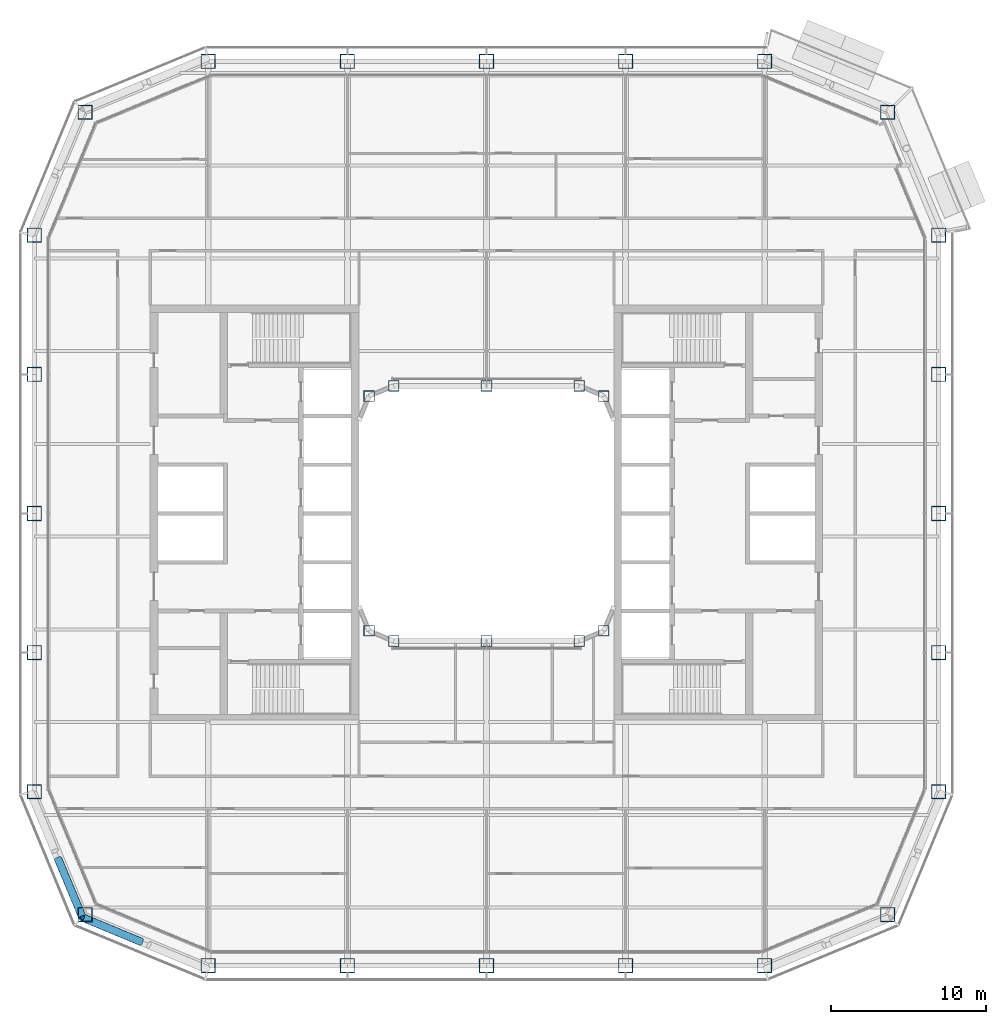
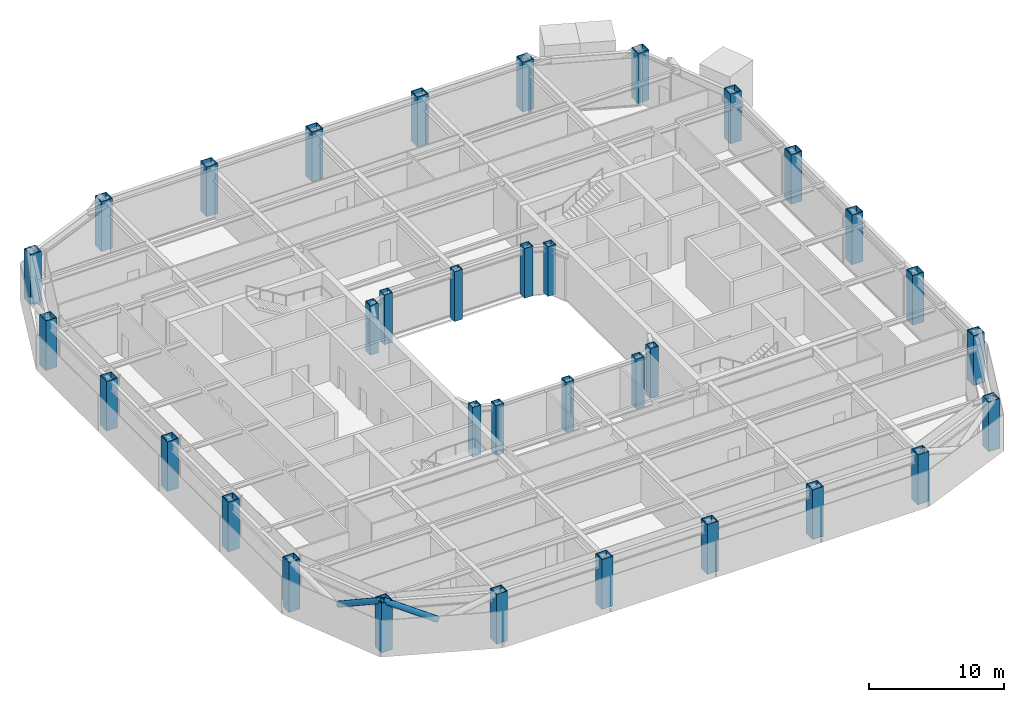
# One storey, part 1 of 24: 34 columns, 2 members.
"""IFC4 building model written with IfcOpenShell, lengths in metres."""

from ifc_helpers import new_model, si_unit, direction, frame, origin, origin_2d, place, context, subcontext, project, spatial, hollow_rectangle, hollow_circle, extrude, material, material_profile, profile_set, type_object, element, save


model = new_model("IFC4")

# Units and contexts
model_context = context("Model", 3, precision=1e-05, world=origin(), true_north=direction((0.0, 1.0)))
body_context = subcontext(model_context, "Body", "Model", "MODEL_VIEW")
ifc_project = project(units=[si_unit("LENGTHUNIT", "METRE"), si_unit("AREAUNIT", "SQUARE_METRE"), si_unit("VOLUMEUNIT", "CUBIC_METRE"), si_unit("PLANEANGLEUNIT", "RADIAN"), si_unit("MASSUNIT", "GRAM", prefix="KILO")], contexts=[model_context])

# Site, building, storey
site_placement = place(None, origin())
site = spatial("IfcSite", under=ifc_project, at=site_placement, CompositionType="ELEMENT")
building_placement = place(site_placement, origin())
building = spatial("IfcBuilding", under=site, at=building_placement, Name="Siwar Civic Tower", CompositionType="ELEMENT")
storey_placement = place(building_placement, frame((0.0, 0.0, 113.699951171875)))
storey = spatial("IfcBuildingStorey", under=building, at=storey_placement, Name="L24", CompositionType="ELEMENT", Elevation=113.699951171875)

# Columns
ifc_material_1 = material(Name="Steel S355", Category="steel")
ifc_material_profile_1 = material_profile(ifc_material_1, hollow_rectangle(XDim=0.949951171875, YDim=0.949951171875, WallThickness=0.054931640625, at=origin_2d()), Name="BOX950x950x55")
ifc_profile_set_1 = profile_set([ifc_material_profile_1], Name="Steel S355")
column_type_1 = type_object("IfcColumnType", Name="STR-COL-BOX950x950x55", PredefinedType="COLUMN", material=ifc_profile_set_1)
for number, where, z_axis, x_axis, name in (
    (1, (-18.0, -29.25, 0.0), (0.0, 0.0, 1.0), (1.0, 0.0, 0.0), "L24/col/S-0"),
    (2, (-9.0, -29.25, 0.0), (0.0, 0.0, 1.0), (1.0, 0.0, 0.0), "L24/col/S-1"),
    (3, (0.0, -29.25, 0.0), (0.0, 0.0, 1.0), (1.0, 0.0, 0.0), "L24/col/S-2"),
    (4, (9.0, -29.25, 0.0), (0.0, 0.0, 1.0), (1.0, 0.0, 0.0), "L24/col/S-3"),
    (5, (18.0, -29.25, 0.0), (0.0, 0.0, 1.0), (1.0, 0.0, 0.0), "L24/col/SE1-0"),
    (6, (25.954833984375, -25.954833984375, 0.0), (0.0, 0.0, 1.0), (1.0, 0.0, 0.0), "L24/col/SE2-0"),
    (7, (29.25, -18.0, 0.0), (0.0, 0.0, 1.0), (1.0, 0.0, 0.0), "L24/col/E-0"),
    (8, (29.25, -9.0, 0.0), (0.0, 0.0, 1.0), (1.0, 0.0, 0.0), "L24/col/E-1"),
    (9, (29.25, 0.0, 0.0), (0.0, 0.0, 1.0), (1.0, 0.0, 0.0), "L24/col/E-2"),
    (10, (29.25, 9.0, 0.0), (0.0, 0.0, 1.0), (1.0, 0.0, 0.0), "L24/col/E-3"),
    (11, (29.25, 18.0, 0.0), (0.0, 0.0, 1.0), (1.0, 0.0, 0.0), "L24/col/NE1-0"),
    (12, (25.954833984375, 25.954833984375, 0.0), (0.0, 0.0, 1.0), (1.0, 0.0, 0.0), "L24/col/NE2-0"),
    (13, (18.0, 29.25, 0.0), (0.0, 0.0, 1.0), (1.0, 0.0, 0.0), "L24/col/N-0"),
    (14, (9.0, 29.25, 0.0), (0.0, 0.0, 1.0), (1.0, 0.0, 0.0), "L24/col/N-1"),
    (15, (0.0, 29.25, 0.0), (0.0, 0.0, 1.0), (1.0, 0.0, 0.0), "L24/col/N-2"),
    (16, (-9.0, 29.25, 0.0), (0.0, 0.0, 1.0), (1.0, 0.0, 0.0), "L24/col/N-3"),
    (17, (-18.0, 29.25, 0.0), (0.0, 0.0, 1.0), (1.0, 0.0, 0.0), "L24/col/NW1-0"),
    (18, (-25.954833984375, 25.954833984375, 0.0), (0.0, 0.0, 1.0), (1.0, 0.0, 0.0), "L24/col/NW2-0"),
    (19, (-29.25, 18.0, 0.0), (0.0, 0.0, 1.0), (1.0, 0.0, 0.0), "L24/col/W-0"),
    (20, (-29.25, 9.0, 0.0), (0.0, 0.0, 1.0), (1.0, 0.0, 0.0), "L24/col/W-1"),
    (21, (-29.25, 0.0, 0.0), (0.0, 0.0, 1.0), (1.0, 0.0, 0.0), "L24/col/W-2"),
    (22, (-29.25, -9.0, 0.0), (0.0, 0.0, 1.0), (1.0, 0.0, 0.0), "L24/col/W-3"),
    (23, (-29.25, -18.0, 0.0), (0.0, 0.0, 1.0), (1.0, 0.0, 0.0), "L24/col/SW1-0"),
    (24, (-25.954833984375, -25.954833984375, 0.0), (0.0, 0.0, 1.0), (1.0, 0.0, 0.0), "L24/col/SW2-0"),
):
    element("IfcColumn", number, at=place(storey_placement, frame(where, z_axis=z_axis, x_axis=x_axis)), inside=storey, type_object=column_type_1, Name=name, PredefinedType="COLUMN", context=body_context, shape_type="SweptSolid", body=[
        extrude(hollow_rectangle(XDim=0.949951171875, YDim=0.949951171875, WallThickness=0.054931640625, at=origin_2d()), origin(), (0.0, 0.0, 1.0), 4.5),
    ])
ifc_material_2 = material(Name="Steel S355", Category="steel")
ifc_material_profile_2 = material_profile(ifc_material_2, hollow_rectangle(XDim=0.699951171875, YDim=0.699951171875, WallThickness=0.0400390625, at=origin_2d()), Name="BOX700x700x40")
ifc_profile_set_2 = profile_set([ifc_material_profile_2], Name="Steel S355")
column_type_2 = type_object("IfcColumnType", Name="STR-ICOL-BOX700x700x40", PredefinedType="COLUMN", material=ifc_profile_set_2)
for number, where, z_axis, x_axis, name in (
    (25, (-7.591064453125, -7.591064453125, 0.0), (0.0, 0.0, 1.0), (1.0, 0.0, 0.0), "L24/col/IS-0"),
    (26, (-6.0, -8.25, 0.0), (0.0, 0.0, 1.0), (1.0, 0.0, 0.0), "L24/col/IS-1"),
    (27, (0.0, -8.25, 0.0), (0.0, 0.0, 1.0), (1.0, 0.0, 0.0), "L24/col/IS-2"),
    (28, (6.0, -8.25, 0.0), (0.0, 0.0, 1.0), (1.0, 0.0, 0.0), "L24/col/IS-3"),
    (29, (7.591064453125, -7.591064453125, 0.0), (0.0, 0.0, 1.0), (1.0, 0.0, 0.0), "L24/col/IS-4"),
    (30, (-7.591064453125, 7.591064453125, 0.0), (0.0, 0.0, 1.0), (1.0, 0.0, 0.0), "L24/col/IN-0"),
    (31, (-6.0, 8.25, 0.0), (0.0, 0.0, 1.0), (1.0, 0.0, 0.0), "L24/col/IN-1"),
    (32, (0.0, 8.25, 0.0), (0.0, 0.0, 1.0), (1.0, 0.0, 0.0), "L24/col/IN-2"),
    (33, (6.0, 8.25, 0.0), (0.0, 0.0, 1.0), (1.0, 0.0, 0.0), "L24/col/IN-3"),
    (34, (7.591064453125, 7.591064453125, 0.0), (0.0, 0.0, 1.0), (1.0, 0.0, 0.0), "L24/col/IN-4"),
):
    element("IfcColumn", number, at=place(storey_placement, frame(where, z_axis=z_axis, x_axis=x_axis)), inside=storey, type_object=column_type_2, Name=name, PredefinedType="COLUMN", context=body_context, shape_type="SweptSolid", body=[
        extrude(hollow_rectangle(XDim=0.699951171875, YDim=0.699951171875, WallThickness=0.0400390625, at=origin_2d()), origin(), (0.0, 0.0, 1.0), 4.5),
    ])

# Members
ifc_material_3 = material(Name="Steel S355", Category="steel")
ifc_material_profile_3 = material_profile(ifc_material_3, hollow_circle(Radius=0.25390625, WallThickness=0.02490234375, at=origin_2d()), Name="CHS508x25")
ifc_profile_set_3 = profile_set([ifc_material_profile_3], Name="Steel S355")
member_type = type_object("IfcMemberType", Name="STR-BR-CHS508x25", PredefinedType="BRACE", material=ifc_profile_set_3)
for number, where, z_axis, x_axis, name in (
    (35, (-22.342529296875, -27.70849609375, 2.390625), (-0.821163134736, 0.341670737976, 0.457112910516), (-0.384154943021, -0.923268638995, 0.0), "L24/brc/BSW1-3-0-3"),
    (36, (-27.70849609375, -22.342529296875, 2.390625), (0.341670737976, -0.821163134736, 0.457112910516), (0.923268638995, 0.384154943021, 0.0), "L24/brc/BSW1-3-0-5"),
):
    element("IfcMember", number, at=place(storey_placement, frame(where, z_axis=z_axis, x_axis=x_axis)), inside=storey, type_object=member_type, Name=name, PredefinedType="BRACE", context=body_context, shape_type="SweptSolid", body=[
        extrude(hollow_circle(Radius=0.25390625, WallThickness=0.02490234375, at=origin_2d()), origin(), (0.0, 0.0, 1.0), 4.614501953125),
    ])

save(model, "model.ifc")
